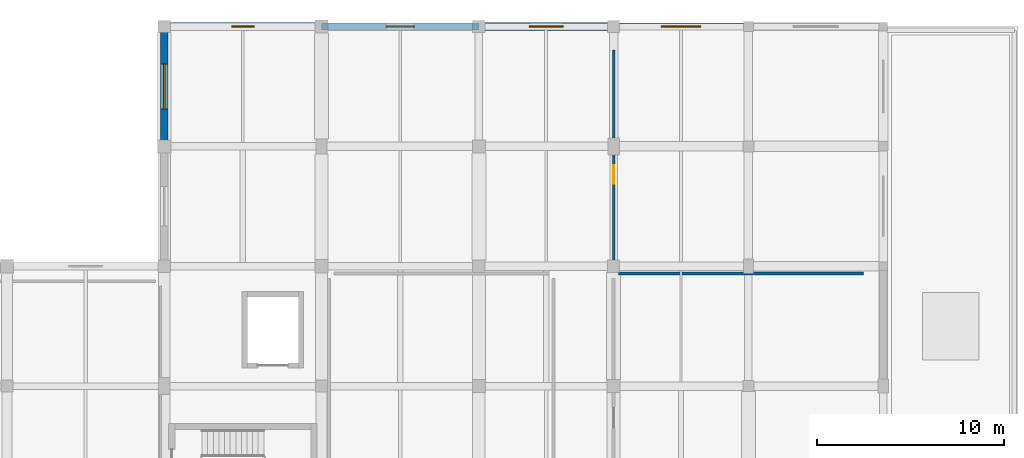
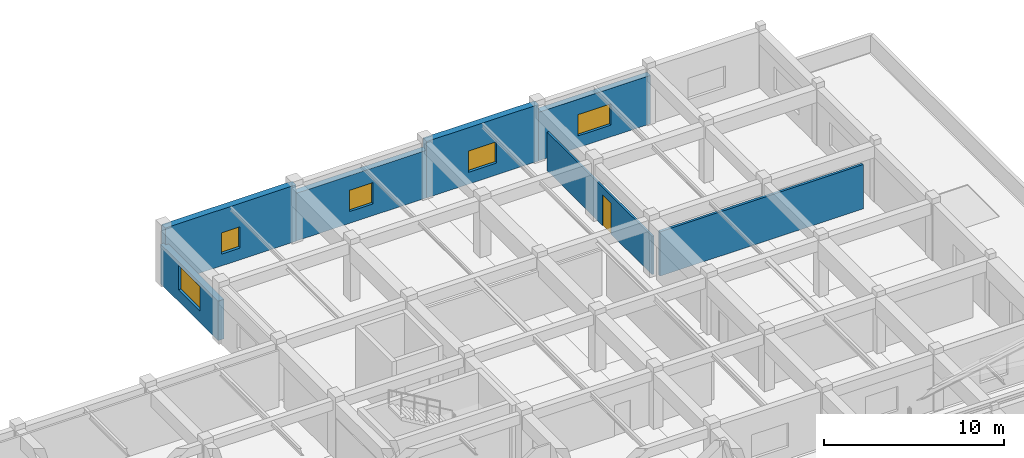
# One storey, part 61 of 74: 7 walls, 5 windows, 1 door, 6 openings.
"""IFC4 building model written with IfcOpenShell, lengths in metres."""

from ifc_helpers import new_model, si_unit, direction, frame, frame_2d, origin, place, context, subcontext, project, spatial, rectangle, extrude, material, layer, layer_set, type_object, element, fill, save


model = new_model("IFC4")

# Units and contexts
model_context = context("Model", 3, precision=1e-05, world=origin(), true_north=direction((0.0, 1.0)))
body_context = subcontext(model_context, "Body", "Model", "MODEL_VIEW")
ifc_project = project(units=[si_unit("LENGTHUNIT", "METRE"), si_unit("AREAUNIT", "SQUARE_METRE"), si_unit("VOLUMEUNIT", "CUBIC_METRE"), si_unit("PLANEANGLEUNIT", "RADIAN"), si_unit("MASSUNIT", "GRAM", prefix="KILO")], contexts=[model_context])

# Site, building, storey
site_placement = place(None, origin())
site = spatial("IfcSite", under=ifc_project, at=site_placement, CompositionType="ELEMENT")
building_placement = place(site_placement, origin())
building = spatial("IfcBuilding", under=site, at=building_placement, Name="Korsvaeld Concert Hall", CompositionType="ELEMENT")
storey_placement = place(building_placement, frame((0.0, 0.0, 9.0)))
storey = spatial("IfcBuildingStorey", under=building, at=storey_placement, Name="L02", CompositionType="ELEMENT", Elevation=9.0)

# Wall, opening, window
ifc_material_1 = material(Name="Obernkirchener buff sandstone rainscreen on Concrete C35/45", Category="masonry")
ifc_layer_1 = layer(ifc_material_1, 0.389892578125)
ifc_layer_set_1 = layer_set([ifc_layer_1], Name="Obernkirchener buff sandstone rainscreen on Concrete C35/45")
wall_type_1 = type_object("IfcWallType", Name="WL-EXT-BUFF-390", PredefinedType="STANDARD", material=ifc_layer_set_1)
wall_1_placement = place(storey_placement, frame((100.800048828125, 108.800048828125, 0.0), z_axis=(0.0, 0.0, 1.0), x_axis=(0.0, 1.0, 0.0)))
wall_1 = element("IfcWall", 1, at=wall_1_placement, inside=storey, type_object=wall_type_1, Name="Exterior sandstone wall L02-250", PredefinedType="STANDARD", context=body_context, shape_type="SweptSolid", body=[
    extrude(rectangle(XDim=6.39990234375, YDim=0.389892578125, at=frame_2d((3.199951171875, 0.0))), origin(), (0.0, 0.0, 1.0), 2.68994140625),
])
opening_1_placement = place(wall_1_placement, frame((2.0, 0.0, 0.800048828125)))
opening_1 = element("IfcOpeningElement", 2, at=opening_1_placement, cuts=wall_1, Name="Opening WN-05", PredefinedType="OPENING", context=body_context, shape_type="SweptSolid", body=[
    extrude(rectangle(XDim=2.39990234375, YDim=1.64990234375, at=frame_2d((1.199951171875, 0.824951171875))), frame((0.0, 0.205078125, 0.0), z_axis=(0.0, -1.0, 0.0), x_axis=(1.0, 0.0, 0.0)), (0.0, 0.0, 1.0), 0.409912109375),
])
ifc_material_2 = material(Name="Anodised bronze frame with acoustic triple glazing", Category="glass")
window_type_1 = type_object("IfcWindowType", Name="WIN-AC-240x165", PartitioningType="TRIPLE_PANEL_VERTICAL", PredefinedType="WINDOW", material=ifc_material_2)
window_1_placement = place(opening_1_placement, origin())
window_1 = element("IfcWindow", 3, at=window_1_placement, inside=storey, type_object=window_type_1, Name="Acoustic triple-glazed window L02-154", OverallHeight=1.64990234375, OverallWidth=2.39990234375, PartitioningType="TRIPLE_PANEL_VERTICAL", PredefinedType="WINDOW", context=body_context, shape_type="SweptSolid", body=[
    extrude(rectangle(XDim=2.39990234375, YDim=1.64990234375, at=frame_2d((1.199951171875, 0.824951171875))), frame((0.0, 0.030029296875, 0.0), z_axis=(0.0, -1.0, 0.0), x_axis=(1.0, 0.0, 0.0)), (0.0, 0.0, 1.0), 0.06005859375),
])
fill(opening_1, window_1)

wall_2_placement = place(storey_placement, frame((109.199951171875, 115.199951171875, 0.0), z_axis=(0.0, 0.0, 1.0), x_axis=(1.0, 0.0, 0.0)))
wall_2 = element("IfcWall", 4, at=wall_2_placement, inside=storey, type_object=wall_type_1, Name="Exterior sandstone wall L02-252", PredefinedType="STANDARD", context=body_context, shape_type="SweptSolid", body=[
    extrude(rectangle(XDim=8.400146484375, YDim=0.389892578125, at=frame_2d((4.2001953125, 0.0))), origin(), (0.0, 0.0, 1.0), 3.239990234375),
])
opening_2_placement = place(wall_2_placement, frame((3.449951171875, 0.0, 0.800048828125)))
opening_2 = element("IfcOpeningElement", 5, at=opening_2_placement, cuts=wall_2, Name="Opening WN-07", PredefinedType="OPENING", context=body_context, shape_type="SweptSolid", body=[
    extrude(rectangle(XDim=1.5, YDim=1.449951171875, at=frame_2d((0.75, 0.72509765625))), frame((0.0, 0.205078125, 0.0), z_axis=(0.0, -1.0, 0.0), x_axis=(1.0, 0.0, 0.0)), (0.0, 0.0, 1.0), 0.409912109375),
])
window_type_2 = type_object("IfcWindowType", Name="WIN-AC-150x145", PartitioningType="SINGLE_PANEL", PredefinedType="WINDOW", material=ifc_material_2)
window_2_placement = place(opening_2_placement, origin())
window_2 = element("IfcWindow", 6, at=window_2_placement, inside=storey, type_object=window_type_2, Name="Acoustic triple-glazed window L02-156", OverallHeight=1.449951171875, OverallWidth=1.5, PartitioningType="SINGLE_PANEL", PredefinedType="WINDOW", context=body_context, shape_type="SweptSolid", body=[
    extrude(rectangle(XDim=1.5, YDim=1.449951171875, at=frame_2d((0.75, 0.72509765625))), frame((0.0, 0.030029296875, 0.0), z_axis=(0.0, -1.0, 0.0), x_axis=(1.0, 0.0, 0.0)), (0.0, 0.0, 1.0), 0.06005859375),
])
fill(opening_2, window_2)

wall_3_placement = place(storey_placement, frame((124.800048828125, 115.199951171875, 0.0), z_axis=(0.0, 0.0, 1.0), x_axis=(1.0, 0.0, 0.0)))
wall_3 = element("IfcWall", 7, at=wall_3_placement, inside=storey, type_object=wall_type_1, Name="Exterior sandstone wall L02-254", PredefinedType="STANDARD", context=body_context, shape_type="SweptSolid", body=[
    extrude(rectangle(XDim=7.199951171875, YDim=0.389892578125, at=frame_2d((3.60009765625, 0.0))), origin(), (0.0, 0.0, 1.0), 3.2900390625),
])
opening_3_placement = place(wall_3_placement, frame((2.550048828125, 0.0, 0.800048828125)))
opening_3 = element("IfcOpeningElement", 8, at=opening_3_placement, cuts=wall_3, Name="Opening WN-09", PredefinedType="OPENING", context=body_context, shape_type="SweptSolid", body=[
    extrude(rectangle(XDim=2.10009765625, YDim=1.449951171875, at=frame_2d((1.050048828125, 0.72509765625))), frame((0.0, 0.205078125, 0.0), z_axis=(0.0, -1.0, 0.0), x_axis=(1.0, 0.0, 0.0)), (0.0, 0.0, 1.0), 0.409912109375),
])
window_type_3 = type_object("IfcWindowType", Name="WIN-AC-210x145", PartitioningType="SINGLE_PANEL", PredefinedType="WINDOW", material=ifc_material_2)
window_3_placement = place(opening_3_placement, origin())
window_3 = element("IfcWindow", 9, at=window_3_placement, inside=storey, type_object=window_type_3, Name="Acoustic triple-glazed window L02-158", OverallHeight=1.449951171875, OverallWidth=2.10009765625, PartitioningType="SINGLE_PANEL", PredefinedType="WINDOW", context=body_context, shape_type="SweptSolid", body=[
    extrude(rectangle(XDim=2.10009765625, YDim=1.449951171875, at=frame_2d((1.050048828125, 0.72509765625))), frame((0.0, 0.030029296875, 0.0), z_axis=(0.0, -1.0, 0.0), x_axis=(1.0, 0.0, 0.0)), (0.0, 0.0, 1.0), 0.06005859375),
])
fill(opening_3, window_3)

ifc_material_3 = material(Name="Bornholm Nexo rose-red sandstone rainscreen on Concrete C35/45", Category="masonry")
ifc_layer_2 = layer(ifc_material_3, 0.419921875)
ifc_layer_set_2 = layer_set([ifc_layer_2], Name="Bornholm Nexo rose-red sandstone rainscreen on Concrete C35/45")
wall_type_2 = type_object("IfcWallType", Name="WL-EXT-NEXO-420", PredefinedType="STANDARD", material=ifc_layer_set_2)
wall_4_placement = place(storey_placement, frame((100.800048828125, 115.199951171875, 0.0), z_axis=(0.0, 0.0, 1.0), x_axis=(1.0, 0.0, 0.0)))
wall_4 = element("IfcWall", 10, at=wall_4_placement, inside=storey, type_object=wall_type_2, Name="Exterior sandstone wall L02-251", PredefinedType="STANDARD", context=body_context, shape_type="SweptSolid", body=[
    extrude(rectangle(XDim=8.39990234375, YDim=0.419921875, at=frame_2d((4.199951171875, 0.0))), origin(), (0.0, 0.0, 1.0), 3.840087890625),
])
opening_4_placement = place(wall_4_placement, frame((3.60009765625, 0.0, 0.800048828125)))
opening_4 = element("IfcOpeningElement", 11, at=opening_4_placement, cuts=wall_4, Name="Opening WN-06", PredefinedType="OPENING", context=body_context, shape_type="SweptSolid", body=[
    extrude(rectangle(XDim=1.199951171875, YDim=1.449951171875, at=frame_2d((0.60009765625, 0.72509765625))), frame((0.0, 0.219970703125, 0.0), z_axis=(0.0, -1.0, 0.0), x_axis=(1.0, 0.0, 0.0)), (0.0, 0.0, 1.0), 0.43994140625),
])
window_type_4 = type_object("IfcWindowType", Name="WIN-AC-120x145", PartitioningType="SINGLE_PANEL", PredefinedType="WINDOW", material=ifc_material_2)
window_4_placement = place(opening_4_placement, origin())
window_4 = element("IfcWindow", 12, at=window_4_placement, inside=storey, type_object=window_type_4, Name="Acoustic triple-glazed window L02-155", OverallHeight=1.449951171875, OverallWidth=1.199951171875, PartitioningType="SINGLE_PANEL", PredefinedType="WINDOW", context=body_context, shape_type="SweptSolid", body=[
    extrude(rectangle(XDim=1.199951171875, YDim=1.449951171875, at=frame_2d((0.60009765625, 0.72509765625))), frame((0.0, 0.030029296875, 0.0), z_axis=(0.0, -1.0, 0.0), x_axis=(1.0, 0.0, 0.0)), (0.0, 0.0, 1.0), 0.06005859375),
])
fill(opening_4, window_4)

wall_5_placement = place(storey_placement, frame((117.60009765625, 115.199951171875, 0.0), z_axis=(0.0, 0.0, 1.0), x_axis=(1.0, 0.0, 0.0)))
wall_5 = element("IfcWall", 13, at=wall_5_placement, inside=storey, type_object=wall_type_2, Name="Exterior sandstone wall L02-253", PredefinedType="STANDARD", context=body_context, shape_type="SweptSolid", body=[
    extrude(rectangle(XDim=7.199951171875, YDim=0.419921875, at=frame_2d((3.60009765625, 0.0))), origin(), (0.0, 0.0, 1.0), 3.840087890625),
])
opening_5_placement = place(wall_5_placement, frame((2.699951171875, 0.0, 0.800048828125)))
opening_5 = element("IfcOpeningElement", 14, at=opening_5_placement, cuts=wall_5, Name="Opening WN-08", PredefinedType="OPENING", context=body_context, shape_type="SweptSolid", body=[
    extrude(rectangle(XDim=1.800048828125, YDim=1.449951171875, at=frame_2d((0.89990234375, 0.72509765625))), frame((0.0, 0.219970703125, 0.0), z_axis=(0.0, -1.0, 0.0), x_axis=(1.0, 0.0, 0.0)), (0.0, 0.0, 1.0), 0.43994140625),
])
window_type_5 = type_object("IfcWindowType", Name="WIN-AC-180x145", PartitioningType="SINGLE_PANEL", PredefinedType="WINDOW", material=ifc_material_2)
window_5_placement = place(opening_5_placement, origin())
window_5 = element("IfcWindow", 15, at=window_5_placement, inside=storey, type_object=window_type_5, Name="Acoustic triple-glazed window L02-157", OverallHeight=1.449951171875, OverallWidth=1.800048828125, PartitioningType="SINGLE_PANEL", PredefinedType="WINDOW", context=body_context, shape_type="SweptSolid", body=[
    extrude(rectangle(XDim=1.800048828125, YDim=1.449951171875, at=frame_2d((0.89990234375, 0.72509765625))), frame((0.0, 0.030029296875, 0.0), z_axis=(0.0, -1.0, 0.0), x_axis=(1.0, 0.0, 0.0)), (0.0, 0.0, 1.0), 0.06005859375),
])
fill(opening_5, window_5)

# Wall, opening, door
ifc_material_4 = material(Name="Insulated acoustic gypsum partition")
ifc_layer_3 = layer(ifc_material_4, 0.125)
ifc_layer_set_3 = layer_set([ifc_layer_3], Name="Insulated acoustic gypsum partition")
wall_type_3 = type_object("IfcWallType", Name="WL-PART-125", PredefinedType="PARTITIONING", material=ifc_layer_set_3)
wall_6_placement = place(storey_placement, frame((124.800048828125, 113.93994140625, 0.0), z_axis=(0.0, 0.0, 1.0), x_axis=(0.0, -1.0, 0.0)))
wall_6 = element("IfcWall", 16, at=wall_6_placement, inside=storey, type_object=wall_type_3, Name="Interior partition L02-16 W", PredefinedType="PARTITIONING", context=body_context, shape_type="SweptSolid", body=[
    extrude(rectangle(XDim=11.679931640625, YDim=0.125, at=frame_2d((5.83984375, 0.0))), origin(), (0.0, 0.0, 1.0), 2.614990234375),
])
opening_6_placement = place(wall_6_placement, frame((6.14990234375, 0.0, 0.0)))
opening_6 = element("IfcOpeningElement", 17, at=opening_6_placement, cuts=wall_6, Name="Opening ID-03", PredefinedType="OPENING", context=body_context, shape_type="SweptSolid", body=[
    extrude(rectangle(XDim=0.97998046875, YDim=2.10009765625, at=frame_2d((0.489990234375, 1.050048828125))), frame((0.0, 0.072509765625, 0.0), z_axis=(0.0, -1.0, 0.0), x_axis=(1.0, 0.0, 0.0)), (0.0, 0.0, 1.0), 0.14501953125),
])
ifc_material_5 = material(Name="European oak dressing room door")
door_type = type_object("IfcDoorType", Name="DR-INT-DRS-098x210", OperationType="NOTDEFINED", PredefinedType="DOOR", material=ifc_material_5)
door_placement = place(opening_6_placement, origin())
door = element("IfcDoor", 18, at=door_placement, inside=storey, type_object=door_type, Name="Symphony Chorus Dressing Suite L02 door L02-16", OperationType="SINGLE_SWING_LEFT", OverallHeight=2.10009765625, OverallWidth=0.97998046875, PredefinedType="DOOR", context=body_context, shape_type="SweptSolid", body=[
    extrude(rectangle(XDim=0.97998046875, YDim=2.10009765625, at=frame_2d((0.489990234375, 1.050048828125))), frame((0.0, 0.02490234375, 0.0), z_axis=(0.0, -1.0, 0.0), x_axis=(1.0, 0.0, 0.0)), (0.0, 0.0, 1.0), 0.050048828125),
])
fill(opening_6, door)

# Wall
ifc_material_6 = material(Name="Double-stud acoustic rehearsal partition")
ifc_layer_4 = layer(ifc_material_6, 0.159912109375)
ifc_layer_set_4 = layer_set([ifc_layer_4], Name="Double-stud acoustic rehearsal partition")
wall_type_4 = type_object("IfcWallType", Name="WL-PART-160", PredefinedType="PARTITIONING", material=ifc_layer_set_4)
wall_7_placement = place(storey_placement, frame((138.139892578125, 102.0, 0.0), z_axis=(0.0, 0.0, 1.0), x_axis=(-1.0, 0.0, 0.0)))
element("IfcWall", 19, at=wall_7_placement, inside=storey, type_object=wall_type_4, Name="Interior partition L02-15 N", PredefinedType="PARTITIONING", context=body_context, shape_type="SweptSolid", body=[
    extrude(rectangle(XDim=13.079833984375, YDim=0.159912109375, at=frame_2d((6.5400390625, 0.0))), origin(), (0.0, 0.0, 1.0), 3.014892578125),
])

save(model, "model.ifc")
